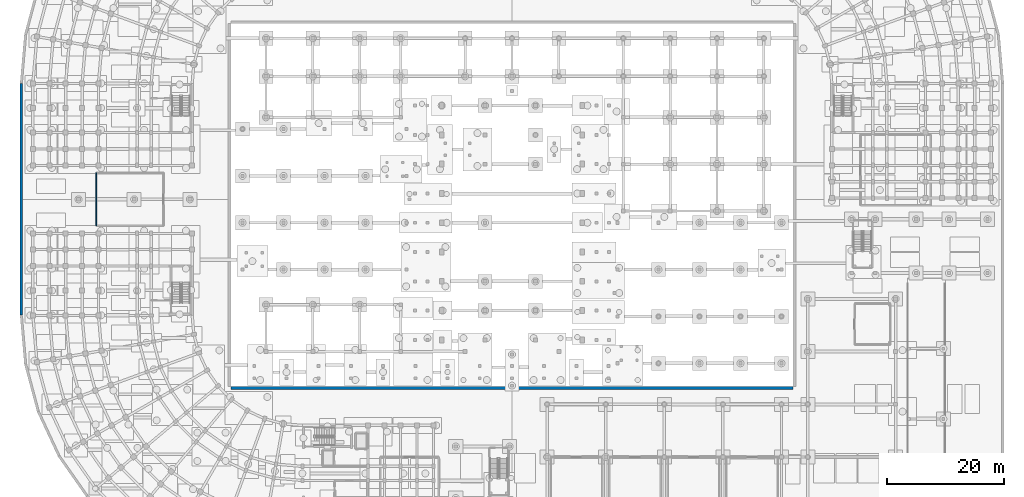
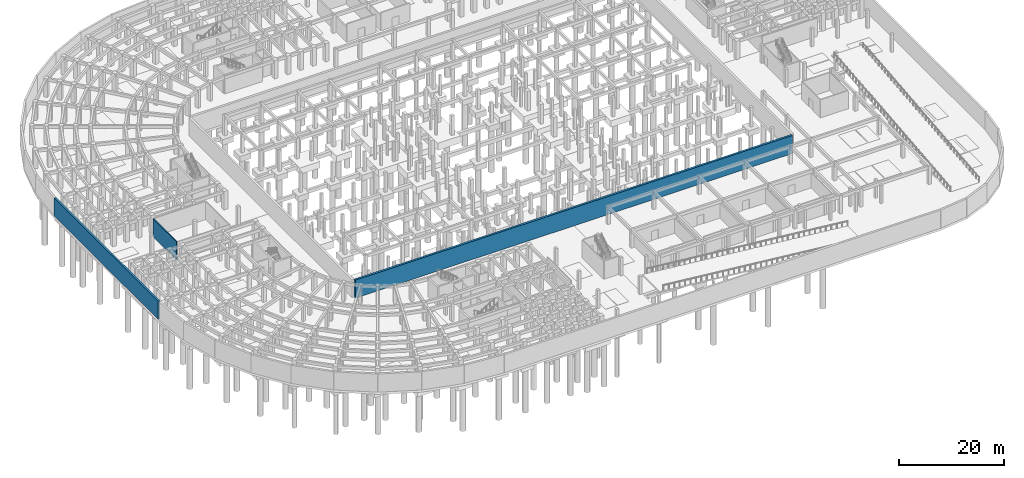
# One storey, part 32 of 53: 3 walls.
"""IFC4 building model written with IfcOpenShell, lengths in metres."""

from ifc_helpers import new_model, si_unit, direction, frame, frame_2d, origin, place, context, subcontext, project, spatial, rectangle, extrude, material, layer, layer_set, type_object, element, save


model = new_model("IFC4")

# Units and contexts
model_context = context("Model", 3, precision=1e-05, world=origin(), true_north=direction((0.0, 1.0)))
body_context = subcontext(model_context, "Body", "Model", "MODEL_VIEW")
ifc_project = project(units=[si_unit("LENGTHUNIT", "METRE"), si_unit("AREAUNIT", "SQUARE_METRE"), si_unit("VOLUMEUNIT", "CUBIC_METRE"), si_unit("PLANEANGLEUNIT", "RADIAN"), si_unit("MASSUNIT", "GRAM", prefix="KILO")], contexts=[model_context])

# Site, building, storey
site_placement = place(None, origin())
site = spatial("IfcSite", under=ifc_project, at=site_placement, CompositionType="ELEMENT")
building_placement = place(site_placement, origin())
building = spatial("IfcBuilding", under=site, at=building_placement, Name="Kiranvali Square Residences", CompositionType="ELEMENT")
storey_placement = place(building_placement, frame((0.0, 0.0, -4.5)))
storey = spatial("IfcBuildingStorey", under=building, at=storey_placement, Name="B1", CompositionType="ELEMENT", Elevation=-4.5)

# Walls
ifc_material_1 = material(Name="Concrete M40 (40 MPa)", Category="concrete")
ifc_layer_1 = layer(ifc_material_1, 0.39990234375)
ifc_layer_set_1 = layer_set([ifc_layer_1], Name="Concrete M40 (40 MPa)")
wall_type_1 = type_object("IfcWallType", Name="WL-RET-400", PredefinedType="USERDEFINED", material=ifc_layer_set_1)
wall_1_placement = place(storey_placement, frame((0.219970703125, 87.77197265625, 0.0), z_axis=(0.0, 0.0, 1.0), x_axis=(0.0, -1.0, 0.0)))
element("IfcWall", 1, at=wall_1_placement, inside=storey, type_object=wall_type_1, Name="Shaped street-perimeter basement retaining wall 37", ObjectType="RETAINING WALL", PredefinedType="USERDEFINED", context=body_context, shape_type="SweptSolid", body=[
    extrude(rectangle(XDim=39.5439453125, YDim=0.39990234375, at=frame_2d((19.77197265625, 0.0))), origin(), (0.0, 0.0, 1.0), 4.199951171875),
])
ifc_layer_2 = layer(ifc_material_1, 0.449951171875)
ifc_layer_set_2 = layer_set([ifc_layer_2], Name="Concrete M40 (40 MPa)")
wall_type_2 = type_object("IfcWallType", Name="WL-RET-450", PredefinedType="USERDEFINED", material=ifc_layer_set_2)
wall_2_placement = place(storey_placement, frame((36.0, 35.77490234375, 0.0), z_axis=(0.0, 0.0, 1.0), x_axis=(1.0, 0.0, 0.0)))
element("IfcWall", 2, at=wall_2_placement, inside=storey, type_object=wall_type_2, Name="Central garden substructure retaining wall RW-GDN-S", ObjectType="RETAINING WALL", PredefinedType="USERDEFINED", context=body_context, shape_type="SweptSolid", body=[
    extrude(rectangle(XDim=96.0, YDim=0.449951171875, at=frame_2d((48.0, 0.0))), origin(), (0.0, 0.0, 1.0), 4.199951171875),
])
ifc_material_2 = material(Name="Autoclaved aerated concrete blockwork masonry", Category="masonry")
ifc_layer_3 = layer(ifc_material_2, 0.199951171875)
ifc_layer_set_3 = layer_set([ifc_layer_3], Name="Autoclaved aerated concrete blockwork masonry")
wall_type_3 = type_object("IfcWallType", Name="WL-SHF-200", PredefinedType="STANDARD", material=ifc_layer_set_3)
wall_3_placement = place(storey_placement, frame((13.0, 72.5, 0.0), z_axis=(0.0, 0.0, 1.0), x_axis=(0.0, -1.0, 0.0)))
element("IfcWall", 3, at=wall_3_placement, inside=storey, type_object=wall_type_3, Name="B1 architectural wall WL-B1-CYC-N-W", PredefinedType="STANDARD", context=body_context, shape_type="SweptSolid", body=[
    extrude(rectangle(XDim=9.0, YDim=0.199951171875, at=frame_2d((4.5, 0.0))), origin(), (0.0, 0.0, 1.0), 4.179931640625),
])

save(model, "model.ifc")
